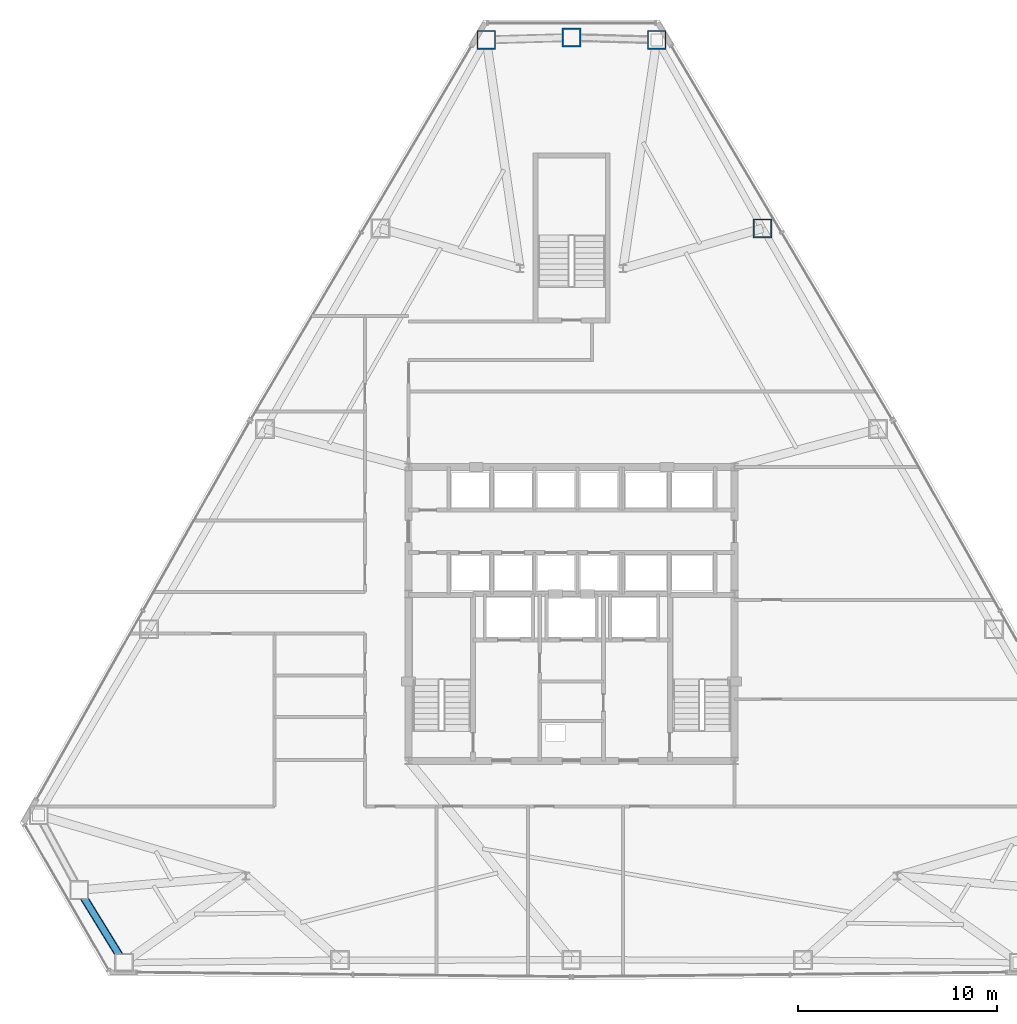
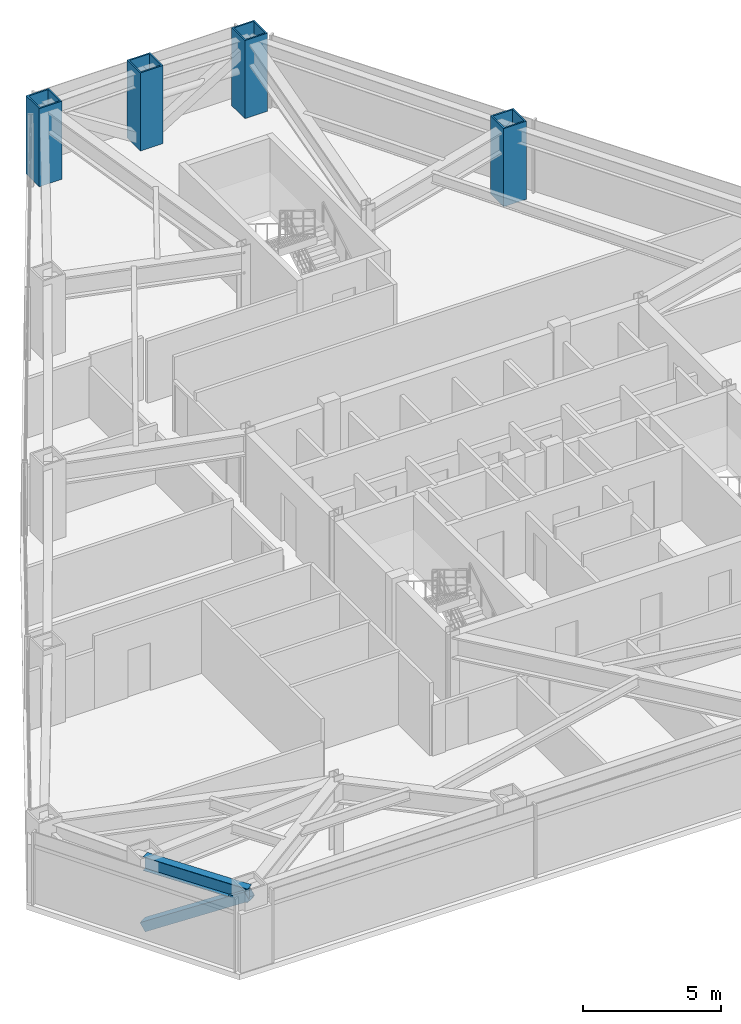
# One storey, part 3 of 13: 4 columns, 1 beam, 1 member.
"""IFC4 building model written with IfcOpenShell, lengths in metres."""

import ifcopenshell
import ifcopenshell.guid

model = None  # the IFC model being written
_history = None  # IfcOwnerHistory: only IFC2X3 demands one
_inside = {}  # id of a spatial element -> (the spatial element, [elements in it])
_under = {}  # id of a project, library or spatial element -> (it, [spatial elements below it])
_declared = {}  # id of a project -> (the project, [libraries it declares])
_typed = {}  # id of a type object -> (the type object, [elements of that type])
_made_of = {}  # id of a material, layer set ... -> (it, [elements and type objects made of it])


def new_model(schema):
    """Start an empty IFC model of exactly this schema.

    Asked for "IFC4X3", IfcOpenShell would pick the latest addendum, in which some entities
    have other attributes; the version numbers below select the first issue.
    IFC2X3 requires an IfcOwnerHistory on every rooted entity: one is made here for all.
    """
    global model, _history
    if schema == "IFC4X3":
        model = ifcopenshell.file(schema_version=(4, 3, 0, 0))
    else:
        model = ifcopenshell.file(schema=schema)
    _inside.clear()
    _under.clear()
    _declared.clear()
    _typed.clear()
    _made_of.clear()
    _history = None
    if model.schema == "IFC2X3":
        org = make("IfcOrganization", Name="unknown")
        user = make(
            "IfcPersonAndOrganization",
            ThePerson=make("IfcPerson", FamilyName="unknown"),
            TheOrganization=org,
        )
        app = make(
            "IfcApplication",
            ApplicationDeveloper=org,
            Version="unknown",
            ApplicationFullName="unknown",
            ApplicationIdentifier="unknown",
        )
        _history = make(
            "IfcOwnerHistory",
            OwningUser=user,
            OwningApplication=app,
            ChangeAction="ADDED",
            CreationDate=0,
        )
    return model


def make(cls, **values):
    """One entity of the class cls with the attributes given. An attribute that is None is left unset."""
    return model.create_entity(
        cls, **{name: value for name, value in values.items() if value is not None}
    )


def rooted(cls, **values):
    """An entity with a GlobalId (a new one), such as an element, a storey or a relation."""
    return make(cls, GlobalId=ifcopenshell.guid.new(), OwnerHistory=_history, **values)


def si_unit(unit_type, name, prefix=None):
    """IfcSIUnit, for example si_unit("LENGTHUNIT", "METRE", prefix="MILLI")."""
    return make("IfcSIUnit", UnitType=unit_type, Prefix=prefix, Name=name)


def assignment(units):
    """IfcUnitAssignment: the units of a project."""
    return None if units is None else make("IfcUnitAssignment", Units=units)


def point(xyz):
    """IfcCartesianPoint."""
    return None if xyz is None else make("IfcCartesianPoint", Coordinates=xyz)


def direction(xyz):
    """IfcDirection."""
    return None if xyz is None else make("IfcDirection", DirectionRatios=xyz)


def frame(location, z_axis=None, x_axis=None):
    """IfcAxis2Placement3D, a coordinate frame: its origin and axes. An axis left out is left unset."""
    return make(
        "IfcAxis2Placement3D",
        Location=point(location),
        Axis=direction(z_axis),
        RefDirection=direction(x_axis),
    )


def frame_2d(location, x_axis=None):
    """IfcAxis2Placement2D, a coordinate frame in the plane: its origin and x axis."""
    return make(
        "IfcAxis2Placement2D", Location=point(location), RefDirection=direction(x_axis)
    )


def origin():
    """The frame at (0, 0, 0) with its axes left unset."""
    return frame((0.0, 0.0, 0.0))


def origin_2d():
    """The frame at (0, 0) in the plane with its x axis left unset."""
    return frame_2d((0.0, 0.0))


def place(relative_to, where):
    """IfcLocalPlacement: puts the frame where relative to a parent placement (None: the world)."""
    return make(
        "IfcLocalPlacement", PlacementRelTo=relative_to, RelativePlacement=where
    )


def context(
    kind, dimensions, precision=None, world=None, true_north=None, identifier=None
):
    """IfcGeometricRepresentationContext, for example the 3D "Model" context."""
    return make(
        "IfcGeometricRepresentationContext",
        ContextIdentifier=identifier,
        ContextType=kind,
        CoordinateSpaceDimension=dimensions,
        Precision=precision,
        WorldCoordinateSystem=world,
        TrueNorth=true_north,
    )


def subcontext(parent, identifier, kind, view, scale=None):
    """IfcGeometricRepresentationSubContext, for example "Body" below "Model"."""
    return make(
        "IfcGeometricRepresentationSubContext",
        ContextIdentifier=identifier,
        ContextType=kind,
        ParentContext=parent,
        TargetScale=scale,
        TargetView=view,
    )


def project(units=None, contexts=None):
    """IfcProject with its units and contexts."""
    return rooted(
        "IfcProject",
        Name="project",
        RepresentationContexts=contexts,
        UnitsInContext=assignment(units),
    )


def spatial(cls, under=None, at=None, **own):
    """A site, building, storey or space (cls), placed at a placement, below another one or the project."""
    s = rooted(cls, ObjectPlacement=at, **own)
    if under is not None:
        _under.setdefault(under.id(), (under, []))[1].append(s)
    return s


def profile(cls, at=None, kind="AREA", **sizes):
    """A parametric profile (cls). Its sizes go by their IFC names, for example OverallWidth=200.0."""
    return make(cls, ProfileType=kind, Position=at, **sizes)


def hollow_rectangle(**sizes):
    """IfcRectangleHollowProfileDef."""
    return profile("IfcRectangleHollowProfileDef", **sizes)


def i_section(**sizes):
    """IfcIShapeProfileDef."""
    return profile("IfcIShapeProfileDef", **sizes)


def extrude(swept, where, along, depth):
    """IfcExtrudedAreaSolid: the profile swept, set in the frame where, extruded along a direction by depth."""
    return make(
        "IfcExtrudedAreaSolid",
        SweptArea=swept,
        Position=where,
        ExtrudedDirection=direction(along),
        Depth=depth,
    )


def shape(context_of_items, identifier, shape_type, items):
    """IfcShapeRepresentation: the items that make up one representation, for example the "Body"."""
    return make(
        "IfcShapeRepresentation",
        ContextOfItems=context_of_items,
        RepresentationIdentifier=identifier,
        RepresentationType=shape_type,
        Items=items,
    )


def source(mapping_origin, context_of_items, identifier, shape_type, items):
    """IfcRepresentationMap: a shape defined once, which mapped items show again and again."""
    return make(
        "IfcRepresentationMap",
        MappingOrigin=mapping_origin,
        MappedRepresentation=shape(context_of_items, identifier, shape_type, items),
    )


def transform(
    local_origin,
    x_axis=None,
    y_axis=None,
    z_axis=None,
    scale=None,
    scale2=None,
    scale3=None,
    uniform=True,
):
    """IfcCartesianTransformationOperator3D, or its non-uniform kind. x_axis, y_axis, z_axis: its Axis1, 2, 3."""
    if uniform:
        return make(
            "IfcCartesianTransformationOperator3D",
            Axis1=direction(x_axis),
            Axis2=direction(y_axis),
            LocalOrigin=point(local_origin),
            Scale=scale,
            Axis3=direction(z_axis),
        )
    return make(
        "IfcCartesianTransformationOperator3DnonUniform",
        Axis1=direction(x_axis),
        Axis2=direction(y_axis),
        LocalOrigin=point(local_origin),
        Scale=scale,
        Axis3=direction(z_axis),
        Scale2=scale2,
        Scale3=scale3,
    )


def mapped(mapping_source, mapping_target):
    """IfcMappedItem: shows the shape of a source again, moved by a transform."""
    return make(
        "IfcMappedItem", MappingSource=mapping_source, MappingTarget=mapping_target
    )


def material(Name=None, Category=None):
    """IfcMaterial."""
    return make("IfcMaterial", Name=Name, Category=Category)


def material_profile(
    of_material, cross_section, Name=None, Category=None, Priority=None
):
    """IfcMaterialProfile: a cross section and its material."""
    return make(
        "IfcMaterialProfile",
        Name=Name,
        Material=of_material,
        Profile=cross_section,
        Priority=Priority,
        Category=Category,
    )


def profile_set(profiles, Name=None, composite=None):
    """IfcMaterialProfileSet."""
    return make(
        "IfcMaterialProfileSet",
        Name=Name,
        MaterialProfiles=profiles,
        CompositeProfile=composite,
    )


def made_of(thing, what):
    """Note that an element or type object is made of a material, layer set ...; save() writes the relation."""
    if what is not None:
        _made_of.setdefault(what.id(), (what, []))[1].append(thing)
    return thing


def type_object(cls, material=None, **own):
    """A type object (cls), such as IfcWallType, which elements share."""
    return made_of(rooted(cls, **own), material)


def type_shapes(of_type, sources):
    """Give a type object the sources (RepresentationMaps) that its elements show as mapped items."""
    of_type.RepresentationMaps = sources


def element(
    cls,
    number,
    at=None,
    inside=None,
    cuts=None,
    type_object=None,
    material=None,
    context=None,
    identifier="Body",
    shape_type=None,
    held_by="IfcProductDefinitionShape",
    body=None,
    shapes=None,
    **own,
):
    """One element of the class cls, such as IfcWall. Its Tag is "e" and its number.

    at: its placement. inside: the storey or other place that contains it. cuts: it is an
    opening in that element (IfcRelVoidsElement). A single representation is given by context,
    identifier, shape_type and body (its items); several are given by shapes. held_by: the class
    of the entity that holds the representations. save() writes the other relations.
    """
    e = rooted(cls, Tag="e%d" % number, ObjectPlacement=at, **own)
    if body is not None:
        shapes = [shape(context, identifier, shape_type, body)]
    if shapes is not None:
        e.Representation = make(held_by, Representations=shapes)
    if inside is not None:
        _inside.setdefault(inside.id(), (inside, []))[1].append(e)
    if cuts is not None:
        rooted(
            "IfcRelVoidsElement", RelatingBuildingElement=cuts, RelatedOpeningElement=e
        )
    if type_object is not None:
        _typed.setdefault(type_object.id(), (type_object, []))[1].append(e)
    return made_of(e, material)


def aggregate(whole, parts):
    """IfcRelAggregates: a whole, such as a stair, and the parts it consists of."""
    return rooted("IfcRelAggregates", RelatingObject=whole, RelatedObjects=parts)


def save(model, path):
    """Write the relations noted so far, then the file.

    IfcRelAggregates (storeys below a building ...), IfcRelContainedInSpatialStructure (elements
    in a storey), IfcRelDefinesByType, IfcRelAssociatesMaterial and IfcRelDeclares: one each for
    every whole, place, type object, material and project.
    """
    for whole, parts in _under.values():
        aggregate(whole, parts)
    for where, things in _inside.values():
        rooted(
            "IfcRelContainedInSpatialStructure",
            RelatedElements=things,
            RelatingStructure=where,
        )
    for kind, things in _typed.values():
        rooted("IfcRelDefinesByType", RelatedObjects=things, RelatingType=kind)
    for what, things in _made_of.values():
        rooted("IfcRelAssociatesMaterial", RelatedObjects=things, RelatingMaterial=what)
    for by, libraries in _declared.values():
        rooted("IfcRelDeclares", RelatingContext=by, RelatedDefinitions=libraries)
    model.write(path)


model = new_model("IFC4")

# Units and contexts
model_context = context("Model", 3, precision=1e-05, world=origin(), true_north=direction((0.0, 1.0)))
body_context = subcontext(model_context, "Body", "Model", "MODEL_VIEW")
ifc_project = project(units=[si_unit("LENGTHUNIT", "METRE"), si_unit("AREAUNIT", "SQUARE_METRE"), si_unit("VOLUMEUNIT", "CUBIC_METRE"), si_unit("PLANEANGLEUNIT", "RADIAN"), si_unit("MASSUNIT", "GRAM", prefix="KILO")], contexts=[model_context])

# Site, building, storey
site_placement = place(None, origin())
site = spatial("IfcSite", under=ifc_project, at=site_placement, CompositionType="ELEMENT")
building_placement = place(site_placement, origin())
building = spatial("IfcBuilding", under=site, at=building_placement, Name="Varakhsha Concourse Tower", CompositionType="ELEMENT")
storey_placement = place(building_placement, frame((0.0, 0.0, 116.0)))
storey = spatial("IfcBuildingStorey", under=building, at=storey_placement, Name="L33", CompositionType="ELEMENT", Elevation=116.0)

# Columns
ifc_material_1 = material(Name="Structural Steel ASTM A572 Grade 50", Category="steel")
ifc_material_profile_1 = material_profile(ifc_material_1, hollow_rectangle(XDim=0.949951171875, YDim=0.949951171875, WallThickness=0.06494140625, at=origin_2d()), Name="BOX 950x950x65")
ifc_profile_set_1 = profile_set([ifc_material_profile_1], Name="Structural Steel ASTM A572 Grade 50")
column_type = type_object("IfcColumnType", Name="CL-TUBE-950", PredefinedType="COLUMN", material=ifc_profile_set_1)
for number, where, z_axis, x_axis, name in (
    (1, (44.2919921875, 52.7041015625, 0.0), (0.0, 0.0, 1.0), (1.0, 0.0, 0.0), "L33 Framed-Tube Column TC01"),
    (2, (40.0, 52.82470703125, 0.0), (0.0, 0.0, 1.0), (1.0, 0.0, 0.0), "L33 Framed-Tube Column TC02"),
    (3, (35.7080078125, 52.7041015625, 0.0), (0.0, 0.0, 1.0), (1.0, 0.0, 0.0), "L33 Framed-Tube Column TC03"),
    (4, (49.62109375, 43.214111328125, 0.0), (0.0, 0.0, 1.0), (1.0, 0.0, 0.0), "L33 Framed-Tube Column TC18"),
):
    element("IfcColumn", number, at=place(storey_placement, frame(where, z_axis=z_axis, x_axis=x_axis)), inside=storey, type_object=column_type, Name=name, PredefinedType="COLUMN", context=body_context, shape_type="SweptSolid", body=[
        extrude(hollow_rectangle(XDim=0.949951171875, YDim=0.949951171875, WallThickness=0.06494140625, at=origin_2d()), origin(), (0.0, 0.0, 1.0), 3.449951171875),
    ])

# Beam
ifc_material_2 = material(Name="Structural Steel ASTM A992 Grade 50", Category="steel")
ifc_material_profile_2 = material_profile(ifc_material_2, i_section(OverallWidth=0.323974609375, OverallDepth=0.611083984375, WebThickness=0.012939453125, FlangeThickness=0.01904296875, at=origin_2d()), Name="W24X104")
ifc_profile_set_2 = profile_set([ifc_material_profile_2], Name="Structural Steel ASTM A992 Grade 50")
beam_type = type_object("IfcBeamType", Name="BM-SPAN-W24X104", PredefinedType="SPANDREL", material=ifc_profile_set_2)
beam_placement = place(storey_placement, frame((15.210205078125, 9.8876953125, 2.904541015625), z_axis=(0.524170386951, -0.851613413142, 0.0), x_axis=(0.851613413142, 0.524170386951, 0.0)))
element("IfcBeam", 5, at=beam_placement, inside=storey, type_object=beam_type, Name="BM-SPAN-L33-08", PredefinedType="SPANDREL", context=body_context, shape_type="SweptSolid", body=[
    extrude(i_section(OverallWidth=0.323974609375, OverallDepth=0.611083984375, WebThickness=0.012939453125, FlangeThickness=0.01904296875, at=origin_2d()), origin(), (0.0, 0.0, 1.0), 4.2939453125),
])

# Member
ifc_material_3 = material(Name="Structural Steel ASTM A500 Grade C", Category="steel")
ifc_material_profile_3 = material_profile(ifc_material_3, hollow_rectangle(XDim=0.39990234375, YDim=0.39990234375, WallThickness=0.01611328125, at=origin_2d()), Name="HSS 400x400x16")
ifc_profile_set_3 = profile_set([ifc_material_profile_3], Name="Structural Steel ASTM A500 Grade C")
member_type = type_object("IfcMemberType", Name="MB-TUBE-HSS400", PredefinedType="BRACE", material=ifc_profile_set_3)
shared_shape = source(origin(), body_context, "Body", "SweptSolid", [
    extrude(hollow_rectangle(XDim=0.39990234375, YDim=0.39990234375, WallThickness=0.01611328125, at=origin_2d()), origin(), (0.0, 0.0, 1.0), 5.12060546875),
])
type_shapes(member_type, [shared_shape])
member_placement = place(storey_placement, frame((15.210205078125, 9.8876953125, 0.1201171875), z_axis=(0.439545147793, -0.714123790394, 0.544818570759), x_axis=(0.851613413142, 0.524170386951, 0.0)))
element("IfcMember", 6, at=member_placement, inside=storey, type_object=member_type, Name="L33 Wind-Corner Tube Brace B04", PredefinedType="BRACE", context=body_context, shape_type="MappedRepresentation", body=[
    mapped(shared_shape, transform((0.0, 0.0, 0.0), scale=1.0)),
])

save(model, "model.ifc")
